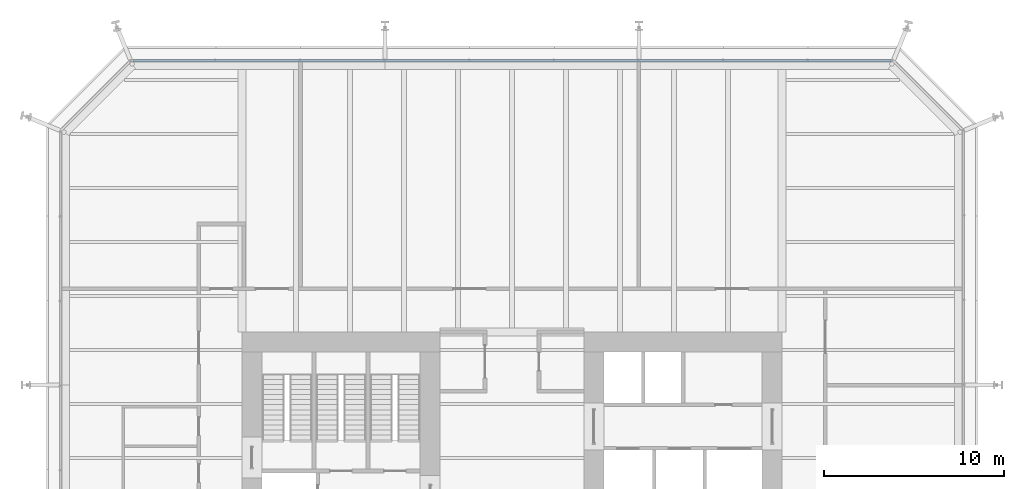
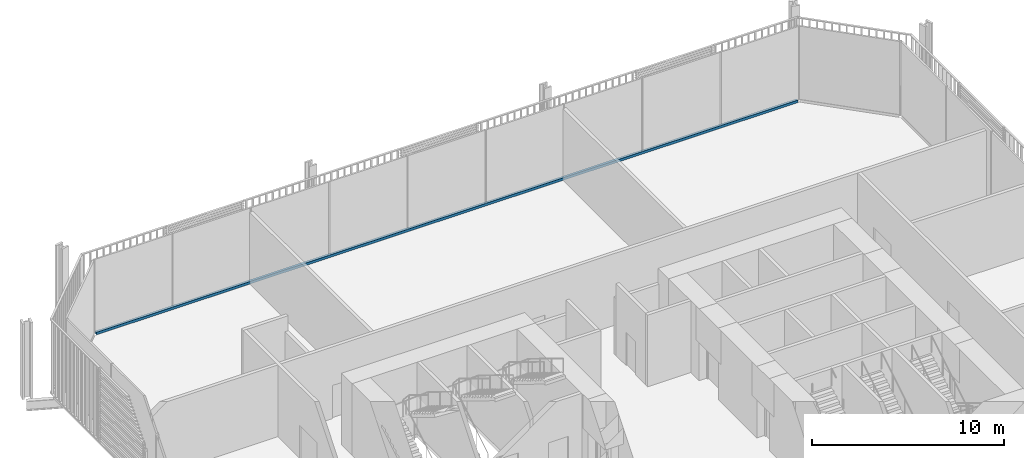
# One storey, part 15 of 22: 1 member, 1 element without a shape of its own.
"""IFC4 building model written with IfcOpenShell, lengths in metres."""

from ifc_helpers import new_model, si_unit, direction, frame, origin, origin_2d, place, context, subcontext, project, spatial, rectangle, extrude, material, layer, layer_set, material_profile, profile_set, type_object, element, aggregate, save


model = new_model("IFC4")

# Units and contexts
model_context = context("Model", 3, precision=1e-05, world=origin(), true_north=direction((0.0, 1.0)))
body_context = subcontext(model_context, "Body", "Model", "MODEL_VIEW")
ifc_project = project(units=[si_unit("LENGTHUNIT", "METRE"), si_unit("AREAUNIT", "SQUARE_METRE"), si_unit("VOLUMEUNIT", "CUBIC_METRE"), si_unit("PLANEANGLEUNIT", "RADIAN"), si_unit("MASSUNIT", "GRAM", prefix="KILO")], contexts=[model_context])

# Site, building, storey
site_placement = place(None, origin())
site = spatial("IfcSite", under=ifc_project, at=site_placement, CompositionType="ELEMENT")
building_placement = place(site_placement, origin())
building = spatial("IfcBuilding", under=site, at=building_placement, Name="Millrace Tower", CompositionType="ELEMENT")
storey_placement = place(building_placement, frame((0.0, 0.0, 59.300048828125)))
storey = spatial("IfcBuildingStorey", under=building, at=storey_placement, Name="L13", CompositionType="ELEMENT", Elevation=59.300048828125)

# Curtain wall, member
ifc_material_1 = material(Name="Aluminium and glass", Category="aluminium")
ifc_layer = layer(ifc_material_1, 0.14990234375)
ifc_layer_set = layer_set([ifc_layer], Name="Aluminium and glass")
curtain_wall_type = type_object("IfcCurtainWallType", Name="CW-2 data hall insulated curtain wall", PredefinedType="NOTDEFINED", material=ifc_layer_set)
curtain_wall_placement = place(storey_placement, origin())
curtain_wall = element("IfcCurtainWall", 1, at=curtain_wall_placement, inside=storey, type_object=curtain_wall_type, Name="Curtain wall A-F06 L13", PredefinedType="NOTDEFINED")
ifc_material_2 = material(Name="Aluminium", Category="aluminium")
ifc_material_profile = material_profile(ifc_material_2, rectangle(XDim=0.14990234375, YDim=0.159912109375, at=origin_2d()))
ifc_profile_set = profile_set([ifc_material_profile], Name="Aluminium")
member_type = type_object("IfcMemberType", Name="CW-2 data hall insulated curtain wall transom", PredefinedType="USERDEFINED", material=ifc_profile_set)
member_placement = place(storey_placement, frame((21.050048828125, 25.074951171875, 0.079833984375), z_axis=(-1.0, 0.0, 0.0), x_axis=(0.0, -1.0, 0.0)))
member = element("IfcMember", 2, at=member_placement, type_object=member_type, Name="CW2 transom A-F06.1", ObjectType="TRANSOM", PredefinedType="USERDEFINED", context=body_context, shape_type="SweptSolid", body=[
    extrude(rectangle(XDim=0.14990234375, YDim=0.159912109375, at=origin_2d()), origin(), (0.0, 0.0, 1.0), 42.10009765625),
])
aggregate(curtain_wall, [member])

save(model, "model.ifc")
